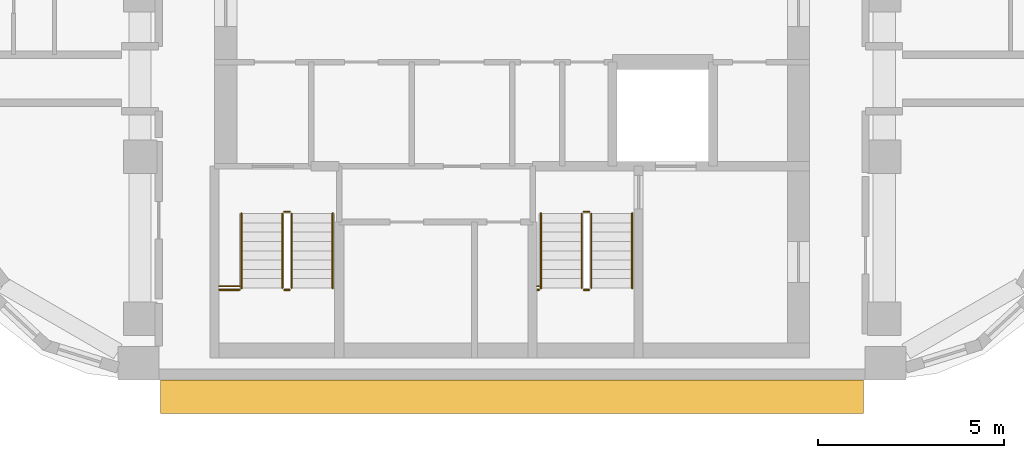
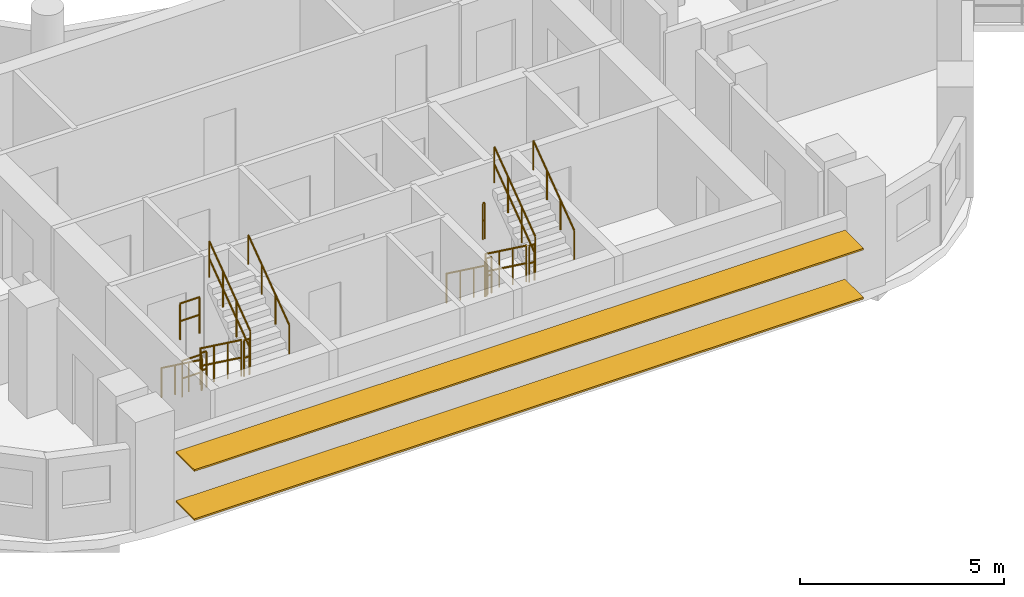
# One storey, part 10 of 12: 16 railings, 2 shading devices.
"""IFC4 building model written with IfcOpenShell, lengths in metres."""

import ifcopenshell
import ifcopenshell.guid

model = None  # the IFC model being written
_history = None  # IfcOwnerHistory: only IFC2X3 demands one
_inside = {}  # id of a spatial element -> (the spatial element, [elements in it])
_under = {}  # id of a project, library or spatial element -> (it, [spatial elements below it])
_declared = {}  # id of a project -> (the project, [libraries it declares])
_typed = {}  # id of a type object -> (the type object, [elements of that type])
_made_of = {}  # id of a material, layer set ... -> (it, [elements and type objects made of it])


def new_model(schema):
    """Start an empty IFC model of exactly this schema.

    Asked for "IFC4X3", IfcOpenShell would pick the latest addendum, in which some entities
    have other attributes; the version numbers below select the first issue.
    IFC2X3 requires an IfcOwnerHistory on every rooted entity: one is made here for all.
    """
    global model, _history
    if schema == "IFC4X3":
        model = ifcopenshell.file(schema_version=(4, 3, 0, 0))
    else:
        model = ifcopenshell.file(schema=schema)
    _inside.clear()
    _under.clear()
    _declared.clear()
    _typed.clear()
    _made_of.clear()
    _history = None
    if model.schema == "IFC2X3":
        org = make("IfcOrganization", Name="unknown")
        user = make(
            "IfcPersonAndOrganization",
            ThePerson=make("IfcPerson", FamilyName="unknown"),
            TheOrganization=org,
        )
        app = make(
            "IfcApplication",
            ApplicationDeveloper=org,
            Version="unknown",
            ApplicationFullName="unknown",
            ApplicationIdentifier="unknown",
        )
        _history = make(
            "IfcOwnerHistory",
            OwningUser=user,
            OwningApplication=app,
            ChangeAction="ADDED",
            CreationDate=0,
        )
    return model


def make(cls, **values):
    """One entity of the class cls with the attributes given. An attribute that is None is left unset."""
    return model.create_entity(
        cls, **{name: value for name, value in values.items() if value is not None}
    )


def rooted(cls, **values):
    """An entity with a GlobalId (a new one), such as an element, a storey or a relation."""
    return make(cls, GlobalId=ifcopenshell.guid.new(), OwnerHistory=_history, **values)


def si_unit(unit_type, name, prefix=None):
    """IfcSIUnit, for example si_unit("LENGTHUNIT", "METRE", prefix="MILLI")."""
    return make("IfcSIUnit", UnitType=unit_type, Prefix=prefix, Name=name)


def assignment(units):
    """IfcUnitAssignment: the units of a project."""
    return None if units is None else make("IfcUnitAssignment", Units=units)


def point(xyz):
    """IfcCartesianPoint."""
    return None if xyz is None else make("IfcCartesianPoint", Coordinates=xyz)


def direction(xyz):
    """IfcDirection."""
    return None if xyz is None else make("IfcDirection", DirectionRatios=xyz)


def frame(location, z_axis=None, x_axis=None):
    """IfcAxis2Placement3D, a coordinate frame: its origin and axes. An axis left out is left unset."""
    return make(
        "IfcAxis2Placement3D",
        Location=point(location),
        Axis=direction(z_axis),
        RefDirection=direction(x_axis),
    )


def frame_2d(location, x_axis=None):
    """IfcAxis2Placement2D, a coordinate frame in the plane: its origin and x axis."""
    return make(
        "IfcAxis2Placement2D", Location=point(location), RefDirection=direction(x_axis)
    )


def origin():
    """The frame at (0, 0, 0) with its axes left unset."""
    return frame((0.0, 0.0, 0.0))


def origin_2d():
    """The frame at (0, 0) in the plane with its x axis left unset."""
    return frame_2d((0.0, 0.0))


def place(relative_to, where):
    """IfcLocalPlacement: puts the frame where relative to a parent placement (None: the world)."""
    return make(
        "IfcLocalPlacement", PlacementRelTo=relative_to, RelativePlacement=where
    )


def context(
    kind, dimensions, precision=None, world=None, true_north=None, identifier=None
):
    """IfcGeometricRepresentationContext, for example the 3D "Model" context."""
    return make(
        "IfcGeometricRepresentationContext",
        ContextIdentifier=identifier,
        ContextType=kind,
        CoordinateSpaceDimension=dimensions,
        Precision=precision,
        WorldCoordinateSystem=world,
        TrueNorth=true_north,
    )


def subcontext(parent, identifier, kind, view, scale=None):
    """IfcGeometricRepresentationSubContext, for example "Body" below "Model"."""
    return make(
        "IfcGeometricRepresentationSubContext",
        ContextIdentifier=identifier,
        ContextType=kind,
        ParentContext=parent,
        TargetScale=scale,
        TargetView=view,
    )


def project(units=None, contexts=None):
    """IfcProject with its units and contexts."""
    return rooted(
        "IfcProject",
        Name="project",
        RepresentationContexts=contexts,
        UnitsInContext=assignment(units),
    )


def spatial(cls, under=None, at=None, **own):
    """A site, building, storey or space (cls), placed at a placement, below another one or the project."""
    s = rooted(cls, ObjectPlacement=at, **own)
    if under is not None:
        _under.setdefault(under.id(), (under, []))[1].append(s)
    return s


def profile(cls, at=None, kind="AREA", **sizes):
    """A parametric profile (cls). Its sizes go by their IFC names, for example OverallWidth=200.0."""
    return make(cls, ProfileType=kind, Position=at, **sizes)


def rectangle(**sizes):
    """IfcRectangleProfileDef."""
    return profile("IfcRectangleProfileDef", **sizes)


def circle(**sizes):
    """IfcCircleProfileDef."""
    return profile("IfcCircleProfileDef", **sizes)


def extrude(swept, where, along, depth):
    """IfcExtrudedAreaSolid: the profile swept, set in the frame where, extruded along a direction by depth."""
    return make(
        "IfcExtrudedAreaSolid",
        SweptArea=swept,
        Position=where,
        ExtrudedDirection=direction(along),
        Depth=depth,
    )


def shape(context_of_items, identifier, shape_type, items):
    """IfcShapeRepresentation: the items that make up one representation, for example the "Body"."""
    return make(
        "IfcShapeRepresentation",
        ContextOfItems=context_of_items,
        RepresentationIdentifier=identifier,
        RepresentationType=shape_type,
        Items=items,
    )


def material(Name=None, Category=None):
    """IfcMaterial."""
    return make("IfcMaterial", Name=Name, Category=Category)


def material_profile(
    of_material, cross_section, Name=None, Category=None, Priority=None
):
    """IfcMaterialProfile: a cross section and its material."""
    return make(
        "IfcMaterialProfile",
        Name=Name,
        Material=of_material,
        Profile=cross_section,
        Priority=Priority,
        Category=Category,
    )


def profile_set(profiles, Name=None, composite=None):
    """IfcMaterialProfileSet."""
    return make(
        "IfcMaterialProfileSet",
        Name=Name,
        MaterialProfiles=profiles,
        CompositeProfile=composite,
    )


def made_of(thing, what):
    """Note that an element or type object is made of a material, layer set ...; save() writes the relation."""
    if what is not None:
        _made_of.setdefault(what.id(), (what, []))[1].append(thing)
    return thing


def type_object(cls, material=None, **own):
    """A type object (cls), such as IfcWallType, which elements share."""
    return made_of(rooted(cls, **own), material)


def element(
    cls,
    number,
    at=None,
    inside=None,
    cuts=None,
    type_object=None,
    material=None,
    context=None,
    identifier="Body",
    shape_type=None,
    held_by="IfcProductDefinitionShape",
    body=None,
    shapes=None,
    **own,
):
    """One element of the class cls, such as IfcWall. Its Tag is "e" and its number.

    at: its placement. inside: the storey or other place that contains it. cuts: it is an
    opening in that element (IfcRelVoidsElement). A single representation is given by context,
    identifier, shape_type and body (its items); several are given by shapes. held_by: the class
    of the entity that holds the representations. save() writes the other relations.
    """
    e = rooted(cls, Tag="e%d" % number, ObjectPlacement=at, **own)
    if body is not None:
        shapes = [shape(context, identifier, shape_type, body)]
    if shapes is not None:
        e.Representation = make(held_by, Representations=shapes)
    if inside is not None:
        _inside.setdefault(inside.id(), (inside, []))[1].append(e)
    if cuts is not None:
        rooted(
            "IfcRelVoidsElement", RelatingBuildingElement=cuts, RelatedOpeningElement=e
        )
    if type_object is not None:
        _typed.setdefault(type_object.id(), (type_object, []))[1].append(e)
    return made_of(e, material)


def aggregate(whole, parts):
    """IfcRelAggregates: a whole, such as a stair, and the parts it consists of."""
    return rooted("IfcRelAggregates", RelatingObject=whole, RelatedObjects=parts)


def save(model, path):
    """Write the relations noted so far, then the file.

    IfcRelAggregates (storeys below a building ...), IfcRelContainedInSpatialStructure (elements
    in a storey), IfcRelDefinesByType, IfcRelAssociatesMaterial and IfcRelDeclares: one each for
    every whole, place, type object, material and project.
    """
    for whole, parts in _under.values():
        aggregate(whole, parts)
    for where, things in _inside.values():
        rooted(
            "IfcRelContainedInSpatialStructure",
            RelatedElements=things,
            RelatingStructure=where,
        )
    for kind, things in _typed.values():
        rooted("IfcRelDefinesByType", RelatedObjects=things, RelatingType=kind)
    for what, things in _made_of.values():
        rooted("IfcRelAssociatesMaterial", RelatedObjects=things, RelatingMaterial=what)
    for by, libraries in _declared.values():
        rooted("IfcRelDeclares", RelatingContext=by, RelatedDefinitions=libraries)
    model.write(path)


model = new_model("IFC4")

# Units and contexts
model_context = context("Model", 3, precision=1e-05, world=origin(), true_north=direction((0.0, 1.0)))
body_context = subcontext(model_context, "Body", "Model", "MODEL_VIEW")
ifc_project = project(units=[si_unit("LENGTHUNIT", "METRE"), si_unit("AREAUNIT", "SQUARE_METRE"), si_unit("VOLUMEUNIT", "CUBIC_METRE"), si_unit("PLANEANGLEUNIT", "RADIAN"), si_unit("MASSUNIT", "GRAM", prefix="KILO")], contexts=[model_context])

# Site, building, storey
site_placement = place(None, origin())
site = spatial("IfcSite", under=ifc_project, at=site_placement, CompositionType="ELEMENT")
building_placement = place(site_placement, origin())
building = spatial("IfcBuilding", under=site, at=building_placement, Name="Nakaniwa Court", CompositionType="ELEMENT")
storey_placement = place(building_placement, frame((0.0, 0.0, 236.10009765625)))
storey = spatial("IfcBuildingStorey", under=building, at=storey_placement, Name="L61", CompositionType="ELEMENT", Elevation=236.10009765625)

# Shading devices
ifc_material_1 = material(Name="Perforated charcoal ceramic louvre blade")
ifc_material_profile = material_profile(ifc_material_1, rectangle(XDim=0.89990234375, YDim=0.050048828125, at=origin_2d()), Name="Perforated ceramic louvre blade")
ifc_profile_set = profile_set([ifc_material_profile], Name="Perforated charcoal ceramic louvre blade")
shading_device_type = type_object("IfcShadingDeviceType", Name="Perforated ceramic louvre blade", PredefinedType="JALOUSIE", material=ifc_profile_set)
for number, where, z_axis, x_axis, name in (
    (1, (70.55078125, 56.89990234375, 0.5498046875), (1.0, 0.0, 0.0), (0.0, 1.0, 0.0), "L61 perforated ceramic louvre blade w26 1"),
    (2, (70.55078125, 56.89990234375, 2.014892578125), (1.0, 0.0, 0.0), (0.0, 1.0, 0.0), "L61 perforated ceramic louvre blade w26 2"),
):
    element("IfcShadingDevice", number, at=place(storey_placement, frame(where, z_axis=z_axis, x_axis=x_axis)), inside=storey, type_object=shading_device_type, Name=name, PredefinedType="JALOUSIE", context=body_context, shape_type="SweptSolid", body=[
        extrude(rectangle(XDim=0.89990234375, YDim=0.050048828125, at=origin_2d()), origin(), (0.0, 0.0, 1.0), 18.892822265625),
    ])

# Railings
ifc_material_2 = material(Name="Black powder coated steel guard", Category="steel")
railing_type_1 = type_object("IfcRailingType", Name="Stair guard 1100", PredefinedType="GUARDRAIL", material=ifc_material_2)
railing_1_placement = place(storey_placement, frame((73.824951171875, 61.824951171875, 0.183349609375)))
element("IfcRailing", 3, at=railing_1_placement, inside=storey, type_object=railing_type_1, Name="L61 ST3 stair guard 1", PredefinedType="GUARDRAIL", context=body_context, shape_type="SweptSolid", body=[
    extrude(circle(Radius=0.02392578125, at=origin_2d()), frame((0.0, 0.0, 1.076171875), z_axis=(0.0, -0.806426902644, 0.591333789573), x_axis=(1.0, 0.0, 0.0)), (0.0, 0.0, 1.0), 2.47998046875),
    extrude(circle(Radius=0.02392578125, at=origin_2d()), frame((0.0, 0.0, 0.550048828125), z_axis=(0.0, -0.806426902644, 0.591333789573), x_axis=(1.0, 0.0, 0.0)), (0.0, 0.0, 1.0), 2.47998046875),
    extrude(circle(Radius=0.02099609375, at=origin_2d()), origin(), (0.0, 0.0, 1.0), 1.052001953125),
    extrude(circle(Radius=0.02099609375, at=origin_2d()), frame((0.0, -0.666748046875, 0.48876953125)), (0.0, 0.0, 1.0), 1.052001953125),
    extrude(circle(Radius=0.02099609375, at=origin_2d()), frame((0.0, -1.333251953125, 0.977783203125)), (0.0, 0.0, 1.0), 1.052001953125),
    extrude(circle(Radius=0.02099609375, at=origin_2d()), frame((0.0, -2.0, 1.466552734375)), (0.0, 0.0, 1.0), 1.052001953125),
])
railing_2_placement = place(storey_placement, frame((73.875, 59.77490234375, 1.64990234375)))
element("IfcRailing", 4, at=railing_2_placement, inside=storey, type_object=railing_type_1, Name="L61 ST3 stair guard 2", PredefinedType="GUARDRAIL", context=body_context, shape_type="SweptSolid", body=[
    extrude(circle(Radius=0.02392578125, at=origin_2d()), frame((0.0, 0.0, 1.076171875), z_axis=(1.0, 0.0, 0.0), x_axis=(0.0, 1.0, 0.0)), (0.0, 0.0, 1.0), 0.14990234375),
    extrude(circle(Radius=0.02392578125, at=origin_2d()), frame((0.0, 0.0, 0.550048828125), z_axis=(1.0, 0.0, 0.0), x_axis=(0.0, 1.0, 0.0)), (0.0, 0.0, 1.0), 0.14990234375),
    extrude(circle(Radius=0.02099609375, at=origin_2d()), origin(), (0.0, 0.0, 1.0), 1.052001953125),
    extrude(circle(Radius=0.02099609375, at=origin_2d()), frame((0.14990234375, 0.0, 0.0)), (0.0, 0.0, 1.0), 1.052001953125),
])
railing_3_placement = place(storey_placement, frame((74.074951171875, 59.824951171875, 1.833251953125)))
element("IfcRailing", 5, at=railing_3_placement, inside=storey, type_object=railing_type_1, Name="L61 ST3 stair guard 3", PredefinedType="GUARDRAIL", context=body_context, shape_type="SweptSolid", body=[
    extrude(circle(Radius=0.02392578125, at=origin_2d()), frame((0.0, 0.0, 1.076171875), z_axis=(0.0, 0.806426902644, 0.591333789573), x_axis=(-1.0, 0.0, 0.0)), (0.0, 0.0, 1.0), 2.47998046875),
    extrude(circle(Radius=0.02392578125, at=origin_2d()), frame((0.0, 0.0, 0.550048828125), z_axis=(0.0, 0.806426902644, 0.591333789573), x_axis=(-1.0, 0.0, 0.0)), (0.0, 0.0, 1.0), 2.47998046875),
    extrude(circle(Radius=0.02099609375, at=origin_2d()), origin(), (0.0, 0.0, 1.0), 1.052001953125),
    extrude(circle(Radius=0.02099609375, at=origin_2d()), frame((0.0, 0.666748046875, 0.48876953125)), (0.0, 0.0, 1.0), 1.052001953125),
    extrude(circle(Radius=0.02099609375, at=origin_2d()), frame((0.0, 1.333251953125, 0.977783203125)), (0.0, 0.0, 1.0), 1.052001953125),
    extrude(circle(Radius=0.02099609375, at=origin_2d()), frame((0.0, 2.0, 1.466552734375)), (0.0, 0.0, 1.0), 1.052001953125),
])
railing_4_placement = place(storey_placement, frame((73.875, 61.875, 0.0)))
element("IfcRailing", 6, at=railing_4_placement, inside=storey, type_object=railing_type_1, Name="L61 ST3 stair guard 4", PredefinedType="GUARDRAIL", context=body_context, shape_type="SweptSolid", body=[
    extrude(circle(Radius=0.02392578125, at=origin_2d()), frame((0.0, 0.0, 1.076171875), z_axis=(1.0, 0.0, 0.0), x_axis=(0.0, 1.0, 0.0)), (0.0, 0.0, 1.0), 0.14990234375),
    extrude(circle(Radius=0.02392578125, at=origin_2d()), frame((0.0, 0.0, 0.550048828125), z_axis=(1.0, 0.0, 0.0), x_axis=(0.0, 1.0, 0.0)), (0.0, 0.0, 1.0), 0.14990234375),
    extrude(circle(Radius=0.02099609375, at=origin_2d()), origin(), (0.0, 0.0, 1.0), 1.052001953125),
    extrude(circle(Radius=0.02099609375, at=origin_2d()), frame((0.14990234375, 0.0, 0.0)), (0.0, 0.0, 1.0), 1.052001953125),
])
for number, where, name in (
    (7, (72.125, 59.77490234375, 1.64990234375), "L61 ST3 landing side guard 1W"),
    (8, (72.125, 59.875, 3.2998046875), "L61 ST3 floor edge guard 1W"),
):
    element("IfcRailing", number, at=place(storey_placement, frame(where)), inside=storey, type_object=railing_type_1, Name=name, PredefinedType="GUARDRAIL", context=body_context, shape_type="SweptSolid", body=[
        extrude(circle(Radius=0.02392578125, at=origin_2d()), frame((0.0, 0.0, 1.076171875), z_axis=(1.0, 0.0, 0.0), x_axis=(0.0, 1.0, 0.0)), (0.0, 0.0, 1.0), 0.550048828125),
        extrude(circle(Radius=0.02392578125, at=origin_2d()), frame((0.0, 0.0, 0.550048828125), z_axis=(1.0, 0.0, 0.0), x_axis=(0.0, 1.0, 0.0)), (0.0, 0.0, 1.0), 0.550048828125),
        extrude(circle(Radius=0.02099609375, at=origin_2d()), origin(), (0.0, 0.0, 1.0), 1.052001953125),
        extrude(circle(Radius=0.02099609375, at=origin_2d()), frame((0.550048828125, 0.0, 0.0)), (0.0, 0.0, 1.0), 1.052001953125),
    ])
railing_5_placement = place(storey_placement, frame((81.875, 61.824951171875, 0.183349609375)))
element("IfcRailing", 9, at=railing_5_placement, inside=storey, type_object=railing_type_1, Name="L61 ST4 stair guard 1", PredefinedType="GUARDRAIL", context=body_context, shape_type="SweptSolid", body=[
    extrude(circle(Radius=0.02392578125, at=origin_2d()), frame((0.0, 0.0, 1.076171875), z_axis=(0.0, -0.806426902644, 0.591333789573), x_axis=(1.0, 0.0, 0.0)), (0.0, 0.0, 1.0), 2.47998046875),
    extrude(circle(Radius=0.02392578125, at=origin_2d()), frame((0.0, 0.0, 0.550048828125), z_axis=(0.0, -0.806426902644, 0.591333789573), x_axis=(1.0, 0.0, 0.0)), (0.0, 0.0, 1.0), 2.47998046875),
    extrude(circle(Radius=0.02099609375, at=origin_2d()), origin(), (0.0, 0.0, 1.0), 1.052001953125),
    extrude(circle(Radius=0.02099609375, at=origin_2d()), frame((0.0, -0.666748046875, 0.48876953125)), (0.0, 0.0, 1.0), 1.052001953125),
    extrude(circle(Radius=0.02099609375, at=origin_2d()), frame((0.0, -1.333251953125, 0.977783203125)), (0.0, 0.0, 1.0), 1.052001953125),
    extrude(circle(Radius=0.02099609375, at=origin_2d()), frame((0.0, -2.0, 1.466552734375)), (0.0, 0.0, 1.0), 1.052001953125),
])
railing_6_placement = place(storey_placement, frame((81.925048828125, 59.77490234375, 1.64990234375)))
element("IfcRailing", 10, at=railing_6_placement, inside=storey, type_object=railing_type_1, Name="L61 ST4 stair guard 2", PredefinedType="GUARDRAIL", context=body_context, shape_type="SweptSolid", body=[
    extrude(circle(Radius=0.02392578125, at=origin_2d()), frame((0.0, 0.0, 1.076171875), z_axis=(1.0, 0.0, 0.0), x_axis=(0.0, 1.0, 0.0)), (0.0, 0.0, 1.0), 0.14990234375),
    extrude(circle(Radius=0.02392578125, at=origin_2d()), frame((0.0, 0.0, 0.550048828125), z_axis=(1.0, 0.0, 0.0), x_axis=(0.0, 1.0, 0.0)), (0.0, 0.0, 1.0), 0.14990234375),
    extrude(circle(Radius=0.02099609375, at=origin_2d()), origin(), (0.0, 0.0, 1.0), 1.052001953125),
    extrude(circle(Radius=0.02099609375, at=origin_2d()), frame((0.14990234375, 0.0, 0.0)), (0.0, 0.0, 1.0), 1.052001953125),
])
railing_7_placement = place(storey_placement, frame((82.125, 59.824951171875, 1.833251953125)))
element("IfcRailing", 11, at=railing_7_placement, inside=storey, type_object=railing_type_1, Name="L61 ST4 stair guard 3", PredefinedType="GUARDRAIL", context=body_context, shape_type="SweptSolid", body=[
    extrude(circle(Radius=0.02392578125, at=origin_2d()), frame((0.0, 0.0, 1.076171875), z_axis=(0.0, 0.806426902644, 0.591333789573), x_axis=(-1.0, 0.0, 0.0)), (0.0, 0.0, 1.0), 2.47998046875),
    extrude(circle(Radius=0.02392578125, at=origin_2d()), frame((0.0, 0.0, 0.550048828125), z_axis=(0.0, 0.806426902644, 0.591333789573), x_axis=(-1.0, 0.0, 0.0)), (0.0, 0.0, 1.0), 2.47998046875),
    extrude(circle(Radius=0.02099609375, at=origin_2d()), origin(), (0.0, 0.0, 1.0), 1.052001953125),
    extrude(circle(Radius=0.02099609375, at=origin_2d()), frame((0.0, 0.666748046875, 0.48876953125)), (0.0, 0.0, 1.0), 1.052001953125),
    extrude(circle(Radius=0.02099609375, at=origin_2d()), frame((0.0, 1.333251953125, 0.977783203125)), (0.0, 0.0, 1.0), 1.052001953125),
    extrude(circle(Radius=0.02099609375, at=origin_2d()), frame((0.0, 2.0, 1.466552734375)), (0.0, 0.0, 1.0), 1.052001953125),
])
railing_8_placement = place(storey_placement, frame((81.925048828125, 61.875, 0.0)))
element("IfcRailing", 12, at=railing_8_placement, inside=storey, type_object=railing_type_1, Name="L61 ST4 stair guard 4", PredefinedType="GUARDRAIL", context=body_context, shape_type="SweptSolid", body=[
    extrude(circle(Radius=0.02392578125, at=origin_2d()), frame((0.0, 0.0, 1.076171875), z_axis=(1.0, 0.0, 0.0), x_axis=(0.0, 1.0, 0.0)), (0.0, 0.0, 1.0), 0.14990234375),
    extrude(circle(Radius=0.02392578125, at=origin_2d()), frame((0.0, 0.0, 0.550048828125), z_axis=(1.0, 0.0, 0.0), x_axis=(0.0, 1.0, 0.0)), (0.0, 0.0, 1.0), 0.14990234375),
    extrude(circle(Radius=0.02099609375, at=origin_2d()), origin(), (0.0, 0.0, 1.0), 1.052001953125),
    extrude(circle(Radius=0.02099609375, at=origin_2d()), frame((0.14990234375, 0.0, 0.0)), (0.0, 0.0, 1.0), 1.052001953125),
])
for number, where, name in (
    (13, (80.675048828125, 59.77490234375, 1.64990234375), "L61 ST4 landing side guard 1W"),
    (14, (80.675048828125, 59.875, 3.2998046875), "L61 ST4 floor edge guard 1W"),
):
    element("IfcRailing", number, at=place(storey_placement, frame(where)), inside=storey, type_object=railing_type_1, Name=name, PredefinedType="GUARDRAIL", context=body_context, shape_type="SweptSolid", body=[
        extrude(circle(Radius=0.02392578125, at=origin_2d()), frame((0.0, 0.0, 1.076171875), z_axis=(1.0, 0.0, 0.0), x_axis=(0.0, 1.0, 0.0)), (0.0, 0.0, 1.0), 0.050048828125),
        extrude(circle(Radius=0.02392578125, at=origin_2d()), frame((0.0, 0.0, 0.550048828125), z_axis=(1.0, 0.0, 0.0), x_axis=(0.0, 1.0, 0.0)), (0.0, 0.0, 1.0), 0.050048828125),
        extrude(circle(Radius=0.02099609375, at=origin_2d()), origin(), (0.0, 0.0, 1.0), 1.052001953125),
        extrude(circle(Radius=0.02099609375, at=origin_2d()), frame((0.050048828125, 0.0, 0.0)), (0.0, 0.0, 1.0), 1.052001953125),
    ])
ifc_material_3 = material(Name="Black powder coated steel handrail", Category="steel")
railing_type_2 = type_object("IfcRailingType", Name="Stair handrail 900", PredefinedType="HANDRAIL", material=ifc_material_3)
railing_9_placement = place(storey_placement, frame((72.72509765625, 61.824951171875, 0.183349609375)))
element("IfcRailing", 15, at=railing_9_placement, inside=storey, type_object=railing_type_2, Name="L61 ST3 stair handrail 1", PredefinedType="HANDRAIL", context=body_context, shape_type="SweptSolid", body=[
    extrude(circle(Radius=0.02392578125, at=origin_2d()), frame((0.0, 0.0, 0.8759765625), z_axis=(0.0, -0.806426902644, 0.591333789573), x_axis=(1.0, 0.0, 0.0)), (0.0, 0.0, 1.0), 2.47998046875),
    extrude(circle(Radius=0.02099609375, at=origin_2d()), origin(), (0.0, 0.0, 1.0), 0.851806640625),
    extrude(circle(Radius=0.02099609375, at=origin_2d()), frame((0.0, -0.666748046875, 0.48876953125)), (0.0, 0.0, 1.0), 0.851806640625),
    extrude(circle(Radius=0.02099609375, at=origin_2d()), frame((0.0, -1.333251953125, 0.977783203125)), (0.0, 0.0, 1.0), 0.851806640625),
    extrude(circle(Radius=0.02099609375, at=origin_2d()), frame((0.0, -2.0, 1.466552734375)), (0.0, 0.0, 1.0), 0.851806640625),
])
railing_10_placement = place(storey_placement, frame((75.175048828125, 59.824951171875, 1.833251953125)))
element("IfcRailing", 16, at=railing_10_placement, inside=storey, type_object=railing_type_2, Name="L61 ST3 stair handrail 2", PredefinedType="HANDRAIL", context=body_context, shape_type="SweptSolid", body=[
    extrude(circle(Radius=0.02392578125, at=origin_2d()), frame((0.0, 0.0, 0.8759765625), z_axis=(0.0, 0.806426902644, 0.591333789573), x_axis=(-1.0, 0.0, 0.0)), (0.0, 0.0, 1.0), 2.47998046875),
    extrude(circle(Radius=0.02099609375, at=origin_2d()), origin(), (0.0, 0.0, 1.0), 0.851806640625),
    extrude(circle(Radius=0.02099609375, at=origin_2d()), frame((0.0, 0.666748046875, 0.48876953125)), (0.0, 0.0, 1.0), 0.851806640625),
    extrude(circle(Radius=0.02099609375, at=origin_2d()), frame((0.0, 1.333251953125, 0.977783203125)), (0.0, 0.0, 1.0), 0.851806640625),
    extrude(circle(Radius=0.02099609375, at=origin_2d()), frame((0.0, 2.0, 1.466552734375)), (0.0, 0.0, 1.0), 0.851806640625),
])
railing_11_placement = place(storey_placement, frame((80.77490234375, 61.824951171875, 0.183349609375)))
element("IfcRailing", 17, at=railing_11_placement, inside=storey, type_object=railing_type_2, Name="L61 ST4 stair handrail 1", PredefinedType="HANDRAIL", context=body_context, shape_type="SweptSolid", body=[
    extrude(circle(Radius=0.02392578125, at=origin_2d()), frame((0.0, 0.0, 0.8759765625), z_axis=(0.0, -0.806426902644, 0.591333789573), x_axis=(1.0, 0.0, 0.0)), (0.0, 0.0, 1.0), 2.47998046875),
    extrude(circle(Radius=0.02099609375, at=origin_2d()), origin(), (0.0, 0.0, 1.0), 0.851806640625),
    extrude(circle(Radius=0.02099609375, at=origin_2d()), frame((0.0, -0.666748046875, 0.48876953125)), (0.0, 0.0, 1.0), 0.851806640625),
    extrude(circle(Radius=0.02099609375, at=origin_2d()), frame((0.0, -1.333251953125, 0.977783203125)), (0.0, 0.0, 1.0), 0.851806640625),
    extrude(circle(Radius=0.02099609375, at=origin_2d()), frame((0.0, -2.0, 1.466552734375)), (0.0, 0.0, 1.0), 0.851806640625),
])
railing_12_placement = place(storey_placement, frame((83.22509765625, 59.824951171875, 1.833251953125)))
element("IfcRailing", 18, at=railing_12_placement, inside=storey, type_object=railing_type_2, Name="L61 ST4 stair handrail 2", PredefinedType="HANDRAIL", context=body_context, shape_type="SweptSolid", body=[
    extrude(circle(Radius=0.02392578125, at=origin_2d()), frame((0.0, 0.0, 0.8759765625), z_axis=(0.0, 0.806426902644, 0.591333789573), x_axis=(-1.0, 0.0, 0.0)), (0.0, 0.0, 1.0), 2.47998046875),
    extrude(circle(Radius=0.02099609375, at=origin_2d()), origin(), (0.0, 0.0, 1.0), 0.851806640625),
    extrude(circle(Radius=0.02099609375, at=origin_2d()), frame((0.0, 0.666748046875, 0.48876953125)), (0.0, 0.0, 1.0), 0.851806640625),
    extrude(circle(Radius=0.02099609375, at=origin_2d()), frame((0.0, 1.333251953125, 0.977783203125)), (0.0, 0.0, 1.0), 0.851806640625),
    extrude(circle(Radius=0.02099609375, at=origin_2d()), frame((0.0, 2.0, 1.466552734375)), (0.0, 0.0, 1.0), 0.851806640625),
])

save(model, "model.ifc")
